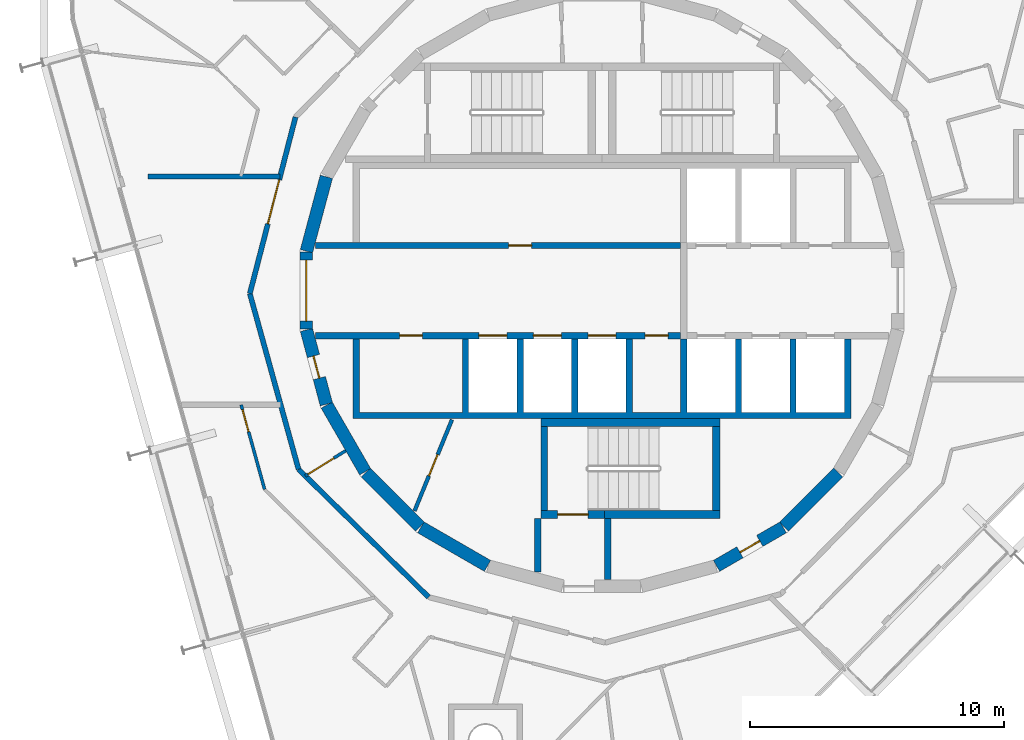
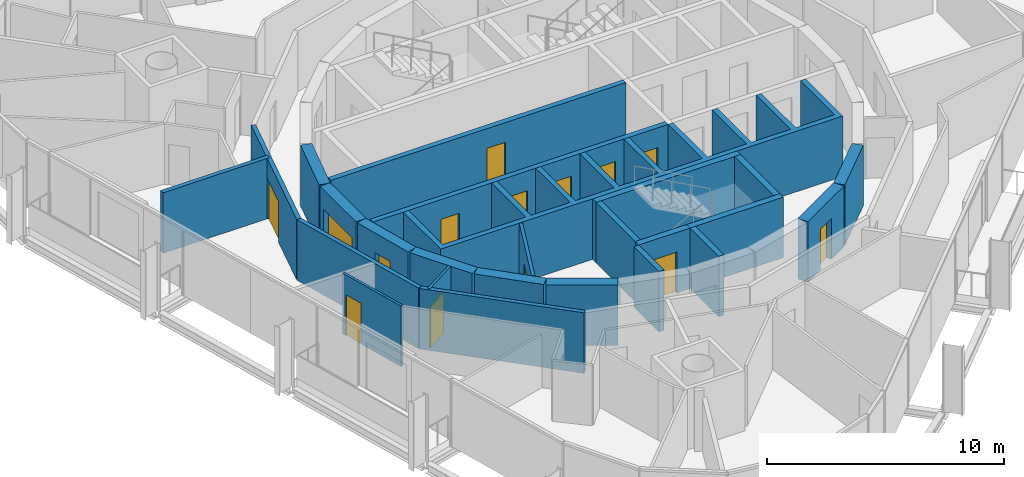
# One storey, part 10 of 15: 25 walls, 14 doors, 14 openings.
"""IFC4 building model written with IfcOpenShell, lengths in metres."""

import ifcopenshell
import ifcopenshell.guid

model = None  # the IFC model being written
_history = None  # IfcOwnerHistory: only IFC2X3 demands one
_inside = {}  # id of a spatial element -> (the spatial element, [elements in it])
_under = {}  # id of a project, library or spatial element -> (it, [spatial elements below it])
_declared = {}  # id of a project -> (the project, [libraries it declares])
_typed = {}  # id of a type object -> (the type object, [elements of that type])
_made_of = {}  # id of a material, layer set ... -> (it, [elements and type objects made of it])


def new_model(schema):
    """Start an empty IFC model of exactly this schema.

    Asked for "IFC4X3", IfcOpenShell would pick the latest addendum, in which some entities
    have other attributes; the version numbers below select the first issue.
    IFC2X3 requires an IfcOwnerHistory on every rooted entity: one is made here for all.
    """
    global model, _history
    if schema == "IFC4X3":
        model = ifcopenshell.file(schema_version=(4, 3, 0, 0))
    else:
        model = ifcopenshell.file(schema=schema)
    _inside.clear()
    _under.clear()
    _declared.clear()
    _typed.clear()
    _made_of.clear()
    _history = None
    if model.schema == "IFC2X3":
        org = make("IfcOrganization", Name="unknown")
        user = make(
            "IfcPersonAndOrganization",
            ThePerson=make("IfcPerson", FamilyName="unknown"),
            TheOrganization=org,
        )
        app = make(
            "IfcApplication",
            ApplicationDeveloper=org,
            Version="unknown",
            ApplicationFullName="unknown",
            ApplicationIdentifier="unknown",
        )
        _history = make(
            "IfcOwnerHistory",
            OwningUser=user,
            OwningApplication=app,
            ChangeAction="ADDED",
            CreationDate=0,
        )
    return model


def make(cls, **values):
    """One entity of the class cls with the attributes given. An attribute that is None is left unset."""
    return model.create_entity(
        cls, **{name: value for name, value in values.items() if value is not None}
    )


def rooted(cls, **values):
    """An entity with a GlobalId (a new one), such as an element, a storey or a relation."""
    return make(cls, GlobalId=ifcopenshell.guid.new(), OwnerHistory=_history, **values)


def si_unit(unit_type, name, prefix=None):
    """IfcSIUnit, for example si_unit("LENGTHUNIT", "METRE", prefix="MILLI")."""
    return make("IfcSIUnit", UnitType=unit_type, Prefix=prefix, Name=name)


def assignment(units):
    """IfcUnitAssignment: the units of a project."""
    return None if units is None else make("IfcUnitAssignment", Units=units)


def point(xyz):
    """IfcCartesianPoint."""
    return None if xyz is None else make("IfcCartesianPoint", Coordinates=xyz)


def direction(xyz):
    """IfcDirection."""
    return None if xyz is None else make("IfcDirection", DirectionRatios=xyz)


def frame(location, z_axis=None, x_axis=None):
    """IfcAxis2Placement3D, a coordinate frame: its origin and axes. An axis left out is left unset."""
    return make(
        "IfcAxis2Placement3D",
        Location=point(location),
        Axis=direction(z_axis),
        RefDirection=direction(x_axis),
    )


def frame_2d(location, x_axis=None):
    """IfcAxis2Placement2D, a coordinate frame in the plane: its origin and x axis."""
    return make(
        "IfcAxis2Placement2D", Location=point(location), RefDirection=direction(x_axis)
    )


def origin():
    """The frame at (0, 0, 0) with its axes left unset."""
    return frame((0.0, 0.0, 0.0))


def place(relative_to, where):
    """IfcLocalPlacement: puts the frame where relative to a parent placement (None: the world)."""
    return make(
        "IfcLocalPlacement", PlacementRelTo=relative_to, RelativePlacement=where
    )


def context(
    kind, dimensions, precision=None, world=None, true_north=None, identifier=None
):
    """IfcGeometricRepresentationContext, for example the 3D "Model" context."""
    return make(
        "IfcGeometricRepresentationContext",
        ContextIdentifier=identifier,
        ContextType=kind,
        CoordinateSpaceDimension=dimensions,
        Precision=precision,
        WorldCoordinateSystem=world,
        TrueNorth=true_north,
    )


def subcontext(parent, identifier, kind, view, scale=None):
    """IfcGeometricRepresentationSubContext, for example "Body" below "Model"."""
    return make(
        "IfcGeometricRepresentationSubContext",
        ContextIdentifier=identifier,
        ContextType=kind,
        ParentContext=parent,
        TargetScale=scale,
        TargetView=view,
    )


def project(units=None, contexts=None):
    """IfcProject with its units and contexts."""
    return rooted(
        "IfcProject",
        Name="project",
        RepresentationContexts=contexts,
        UnitsInContext=assignment(units),
    )


def spatial(cls, under=None, at=None, **own):
    """A site, building, storey or space (cls), placed at a placement, below another one or the project."""
    s = rooted(cls, ObjectPlacement=at, **own)
    if under is not None:
        _under.setdefault(under.id(), (under, []))[1].append(s)
    return s


def polyline(points):
    """IfcPolyline through the points."""
    return make("IfcPolyline", Points=[point(p) for p in points])


def profile(cls, at=None, kind="AREA", **sizes):
    """A parametric profile (cls). Its sizes go by their IFC names, for example OverallWidth=200.0."""
    return make(cls, ProfileType=kind, Position=at, **sizes)


def rectangle(**sizes):
    """IfcRectangleProfileDef."""
    return profile("IfcRectangleProfileDef", **sizes)


def outline(outer, holes=None, kind="AREA"):
    """IfcArbitraryClosedProfileDef: a profile drawn as a closed curve; with holes, ...WithVoids."""
    if holes is None:
        return make("IfcArbitraryClosedProfileDef", ProfileType=kind, OuterCurve=outer)
    return make(
        "IfcArbitraryProfileDefWithVoids",
        ProfileType=kind,
        OuterCurve=outer,
        InnerCurves=holes,
    )


def extrude(swept, where, along, depth):
    """IfcExtrudedAreaSolid: the profile swept, set in the frame where, extruded along a direction by depth."""
    return make(
        "IfcExtrudedAreaSolid",
        SweptArea=swept,
        Position=where,
        ExtrudedDirection=direction(along),
        Depth=depth,
    )


def shape(context_of_items, identifier, shape_type, items):
    """IfcShapeRepresentation: the items that make up one representation, for example the "Body"."""
    return make(
        "IfcShapeRepresentation",
        ContextOfItems=context_of_items,
        RepresentationIdentifier=identifier,
        RepresentationType=shape_type,
        Items=items,
    )


def material(Name=None, Category=None):
    """IfcMaterial."""
    return make("IfcMaterial", Name=Name, Category=Category)


def layer(
    of_material, thickness, ventilated=None, Name=None, Category=None, Priority=None
):
    """IfcMaterialLayer: one layer of a wall or slab, of a material (None: an air gap)."""
    return make(
        "IfcMaterialLayer",
        Material=of_material,
        LayerThickness=thickness,
        IsVentilated=ventilated,
        Name=Name,
        Category=Category,
        Priority=Priority,
    )


def layer_set(layers, Name=None):
    """IfcMaterialLayerSet."""
    return make("IfcMaterialLayerSet", MaterialLayers=layers, LayerSetName=Name)


def made_of(thing, what):
    """Note that an element or type object is made of a material, layer set ...; save() writes the relation."""
    if what is not None:
        _made_of.setdefault(what.id(), (what, []))[1].append(thing)
    return thing


def type_object(cls, material=None, **own):
    """A type object (cls), such as IfcWallType, which elements share."""
    return made_of(rooted(cls, **own), material)


def element(
    cls,
    number,
    at=None,
    inside=None,
    cuts=None,
    type_object=None,
    material=None,
    context=None,
    identifier="Body",
    shape_type=None,
    held_by="IfcProductDefinitionShape",
    body=None,
    shapes=None,
    **own,
):
    """One element of the class cls, such as IfcWall. Its Tag is "e" and its number.

    at: its placement. inside: the storey or other place that contains it. cuts: it is an
    opening in that element (IfcRelVoidsElement). A single representation is given by context,
    identifier, shape_type and body (its items); several are given by shapes. held_by: the class
    of the entity that holds the representations. save() writes the other relations.
    """
    e = rooted(cls, Tag="e%d" % number, ObjectPlacement=at, **own)
    if body is not None:
        shapes = [shape(context, identifier, shape_type, body)]
    if shapes is not None:
        e.Representation = make(held_by, Representations=shapes)
    if inside is not None:
        _inside.setdefault(inside.id(), (inside, []))[1].append(e)
    if cuts is not None:
        rooted(
            "IfcRelVoidsElement", RelatingBuildingElement=cuts, RelatedOpeningElement=e
        )
    if type_object is not None:
        _typed.setdefault(type_object.id(), (type_object, []))[1].append(e)
    return made_of(e, material)


def fill(opening, filler):
    """IfcRelFillsElement: the door or window that sits in an opening."""
    return rooted(
        "IfcRelFillsElement",
        RelatingOpeningElement=opening,
        RelatedBuildingElement=filler,
    )


def aggregate(whole, parts):
    """IfcRelAggregates: a whole, such as a stair, and the parts it consists of."""
    return rooted("IfcRelAggregates", RelatingObject=whole, RelatedObjects=parts)


def save(model, path):
    """Write the relations noted so far, then the file.

    IfcRelAggregates (storeys below a building ...), IfcRelContainedInSpatialStructure (elements
    in a storey), IfcRelDefinesByType, IfcRelAssociatesMaterial and IfcRelDeclares: one each for
    every whole, place, type object, material and project.
    """
    for whole, parts in _under.values():
        aggregate(whole, parts)
    for where, things in _inside.values():
        rooted(
            "IfcRelContainedInSpatialStructure",
            RelatedElements=things,
            RelatingStructure=where,
        )
    for kind, things in _typed.values():
        rooted("IfcRelDefinesByType", RelatedObjects=things, RelatingType=kind)
    for what, things in _made_of.values():
        rooted("IfcRelAssociatesMaterial", RelatedObjects=things, RelatingMaterial=what)
    for by, libraries in _declared.values():
        rooted("IfcRelDeclares", RelatingContext=by, RelatedDefinitions=libraries)
    model.write(path)


model = new_model("IFC4")

# Units and contexts
model_context = context("Model", 3, precision=1e-05, world=origin(), true_north=direction((0.0, 1.0)))
body_context = subcontext(model_context, "Body", "Model", "MODEL_VIEW")
ifc_project = project(units=[si_unit("LENGTHUNIT", "METRE"), si_unit("AREAUNIT", "SQUARE_METRE"), si_unit("VOLUMEUNIT", "CUBIC_METRE"), si_unit("PLANEANGLEUNIT", "RADIAN"), si_unit("MASSUNIT", "GRAM", prefix="KILO")], contexts=[model_context])

# Site, building, storey
site_placement = place(None, origin())
site = spatial("IfcSite", under=ifc_project, at=site_placement, CompositionType="ELEMENT")
building_placement = place(site_placement, origin())
building = spatial("IfcBuilding", under=site, at=building_placement, Name="Spindle Arch Residences", CompositionType="ELEMENT")
storey_placement = place(building_placement, frame((0.0, 0.0, 315.699951171875)))
storey = spatial("IfcBuildingStorey", under=building, at=storey_placement, Name="L81", CompositionType="ELEMENT", Elevation=315.699951171875)

# Wall, opening, door
ifc_material_1 = material(Name="Concrete C50/60", Category="concrete")
ifc_layer_1 = layer(ifc_material_1, 0.5)
ifc_layer_set_1 = layer_set([ifc_layer_1], Name="Core outline wall 500")
wall_type_1 = type_object("IfcWallType", Name="Core outline wall 500", PredefinedType="SHEAR", material=ifc_layer_set_1)
wall_1_placement = place(storey_placement, frame((4.510498046875, -10.84521484375, 0.0), z_axis=(0.0, 0.0, 1.0), x_axis=(0.865975092491, 0.500087131594, 0.0)))
wall_1 = element("IfcWall", 1, at=wall_1_placement, inside=storey, type_object=wall_type_1, Name="Core outline wall 2", PredefinedType="SHEAR", context=body_context, shape_type="SweptSolid", body=[
    extrude(rectangle(XDim=3.03271484375, YDim=0.5, at=frame_2d((1.516357421875, 0.0))), origin(), (0.0, 0.0, 1.0), 3.1201171875),
])
opening_1_placement = place(wall_1_placement, frame((1.06640625, 0.0, 0.0)))
opening_1 = element("IfcOpeningElement", 2, at=opening_1_placement, cuts=wall_1, Name="Opening R8B1-WD08", PredefinedType="OPENING", context=body_context, shape_type="SweptSolid", body=[
    extrude(rectangle(XDim=0.89990234375, YDim=2.10009765625, at=frame_2d((0.449951171875, 1.050048828125))), frame((0.0, 0.260009765625, 0.0), z_axis=(0.0, -1.0, 0.0), x_axis=(1.0, 0.0, 0.0)), (0.0, 0.0, 1.0), 0.52001953125),
])
ifc_material_2 = material(Name="Steel, fire-resisting door", Category="steel")
door_type_1 = type_object("IfcDoorType", Name="Service room door 900x2100", OperationType="SINGLE_SWING_LEFT", PredefinedType="DOOR", material=ifc_material_2)
door_1_placement = place(opening_1_placement, origin())
door_1 = element("IfcDoor", 3, at=door_1_placement, inside=storey, type_object=door_type_1, Name="Service room door R8B1-WD08", OperationType="SINGLE_SWING_RIGHT", OverallHeight=2.10009765625, OverallWidth=0.89990234375, PredefinedType="DOOR", context=body_context, shape_type="SweptSolid", body=[
    extrude(rectangle(XDim=0.89990234375, YDim=2.10009765625, at=frame_2d((0.449951171875, 1.050048828125))), frame((0.0, 0.02490234375, 0.0), z_axis=(0.0, -1.0, 0.0), x_axis=(1.0, 0.0, 0.0)), (0.0, 0.0, 1.0), 0.050048828125),
])
fill(opening_1, door_1)

# Walls
wall_2_placement = place(storey_placement, frame((7.163818359375, -9.30810546875, 0.0), z_axis=(0.0, 0.0, 1.0), x_axis=(0.707106781187, 0.707106781187, 0.0)))
element("IfcWall", 4, at=wall_2_placement, inside=storey, type_object=wall_type_1, Name="Core outline wall 3", PredefinedType="SHEAR", context=body_context, shape_type="SweptSolid", body=[
    extrude(rectangle(XDim=3.032470703125, YDim=0.5, at=frame_2d((1.51611328125, 0.0))), origin(), (0.0, 0.0, 1.0), 3.1201171875),
])
wall_3_placement = place(storey_placement, frame((-10.858154296875, 4.479248046875, 0.0), z_axis=(0.0, 0.0, 1.0), x_axis=(-0.258734743916, -0.965948410781, 0.0)))
element("IfcWall", 5, at=wall_3_placement, inside=storey, type_object=wall_type_1, Name="Core outline wall 17", PredefinedType="SHEAR", context=body_context, shape_type="SweptSolid", body=[
    extrude(rectangle(XDim=3.03271484375, YDim=0.5, at=frame_2d((1.516357421875, 0.0))), origin(), (0.0, 0.0, 1.0), 3.1201171875),
])

# Wall, opening, door
wall_4_placement = place(storey_placement, frame((-11.647216796875, 1.516357421875, 0.0), z_axis=(0.0, 0.0, 1.0), x_axis=(0.0, -1.0, 0.0)))
wall_4 = element("IfcWall", 6, at=wall_4_placement, inside=storey, type_object=wall_type_1, Name="Core outline wall 18", PredefinedType="SHEAR", context=body_context, shape_type="SweptSolid", body=[
    extrude(rectangle(XDim=3.03271484375, YDim=0.5, at=frame_2d((1.516357421875, 0.0))), origin(), (0.0, 0.0, 1.0), 3.1201171875),
])
opening_2_placement = place(wall_4_placement, frame((0.31640625, 0.0, 0.0)))
opening_2 = element("IfcOpeningElement", 7, at=opening_2_placement, cuts=wall_4, Name="Opening R8B1-LE01", PredefinedType="OPENING", context=body_context, shape_type="SweptSolid", body=[
    extrude(rectangle(XDim=2.39990234375, YDim=2.10009765625, at=frame_2d((1.199951171875, 1.050048828125))), frame((0.0, 0.260009765625, 0.0), z_axis=(0.0, -1.0, 0.0), x_axis=(1.0, 0.0, 0.0)), (0.0, 0.0, 1.0), 0.52001953125),
])
ifc_material_3 = material(Name="Steel, fire-resisting door", Category="steel")
door_type_2 = type_object("IfcDoorType", Name="Lift lobby entrance door 2400x2100", OperationType="DOUBLE_DOOR_SINGLE_SWING", PredefinedType="DOOR", material=ifc_material_3)
door_2_placement = place(opening_2_placement, origin())
door_2 = element("IfcDoor", 8, at=door_2_placement, inside=storey, type_object=door_type_2, Name="Lift lobby entrance door R8B1-LE01", OperationType="DOUBLE_DOOR_SINGLE_SWING", OverallHeight=2.10009765625, OverallWidth=2.39990234375, PredefinedType="DOOR", context=body_context, shape_type="SweptSolid", body=[
    extrude(rectangle(XDim=2.39990234375, YDim=2.10009765625, at=frame_2d((1.199951171875, 1.050048828125))), frame((0.0, 0.02490234375, 0.0), z_axis=(0.0, -1.0, 0.0), x_axis=(1.0, 0.0, 0.0)), (0.0, 0.0, 1.0), 0.050048828125),
])
fill(opening_2, door_2)

wall_5_placement = place(storey_placement, frame((-11.642822265625, -1.5498046875, 0.0), z_axis=(0.0, 0.0, 1.0), x_axis=(0.258734743916, -0.965948410781, 0.0)))
wall_5 = element("IfcWall", 9, at=wall_5_placement, inside=storey, type_object=wall_type_1, Name="Core outline wall 19", PredefinedType="SHEAR", context=body_context, shape_type="SweptSolid", body=[
    extrude(rectangle(XDim=3.03271484375, YDim=0.5, at=frame_2d((1.516357421875, 0.0))), origin(), (0.0, 0.0, 1.0), 3.1201171875),
])
opening_3_placement = place(wall_5_placement, frame((1.06640625, 0.0, 0.0)))
opening_3 = element("IfcOpeningElement", 10, at=opening_3_placement, cuts=wall_5, Name="Opening R8B1-WD09", PredefinedType="OPENING", context=body_context, shape_type="SweptSolid", body=[
    extrude(rectangle(XDim=0.89990234375, YDim=2.10009765625, at=frame_2d((0.449951171875, 1.050048828125))), frame((0.0, 0.260009765625, 0.0), z_axis=(0.0, -1.0, 0.0), x_axis=(1.0, 0.0, 0.0)), (0.0, 0.0, 1.0), 0.52001953125),
])
door_3_placement = place(opening_3_placement, origin())
door_3 = element("IfcDoor", 11, at=door_3_placement, inside=storey, type_object=door_type_1, Name="Service room door R8B1-WD09", OperationType="SINGLE_SWING_LEFT", OverallHeight=2.10009765625, OverallWidth=0.89990234375, PredefinedType="DOOR", context=body_context, shape_type="SweptSolid", body=[
    extrude(rectangle(XDim=0.89990234375, YDim=2.10009765625, at=frame_2d((0.449951171875, 1.050048828125))), frame((0.0, 0.02490234375, 0.0), z_axis=(0.0, -1.0, 0.0), x_axis=(1.0, 0.0, 0.0)), (0.0, 0.0, 1.0), 0.050048828125),
])
fill(opening_3, door_3)

# Walls
wall_6_placement = place(storey_placement, frame((-10.84521484375, -4.510498046875, 0.0), z_axis=(0.0, 0.0, 1.0), x_axis=(0.500087131594, -0.865975092491, 0.0)))
element("IfcWall", 12, at=wall_6_placement, inside=storey, type_object=wall_type_1, Name="Core outline wall 20", PredefinedType="SHEAR", context=body_context, shape_type="SweptSolid", body=[
    extrude(rectangle(XDim=3.03271484375, YDim=0.5, at=frame_2d((1.516357421875, 0.0))), origin(), (0.0, 0.0, 1.0), 3.1201171875),
])
wall_7_placement = place(storey_placement, frame((-9.30810546875, -7.163818359375, 0.0), z_axis=(0.0, 0.0, 1.0), x_axis=(0.707106781187, -0.707106781187, 0.0)))
element("IfcWall", 13, at=wall_7_placement, inside=storey, type_object=wall_type_1, Name="Core outline wall 21", PredefinedType="SHEAR", context=body_context, shape_type="SweptSolid", body=[
    extrude(rectangle(XDim=3.032470703125, YDim=0.5, at=frame_2d((1.51611328125, 0.0))), origin(), (0.0, 0.0, 1.0), 3.1201171875),
])
wall_8_placement = place(storey_placement, frame((-7.13671875, -9.32861328125, 0.0), z_axis=(0.0, 0.0, 1.0), x_axis=(0.865975092491, -0.500087131594, 0.0)))
element("IfcWall", 14, at=wall_8_placement, inside=storey, type_object=wall_type_1, Name="Core outline wall 22", PredefinedType="SHEAR", context=body_context, shape_type="SweptSolid", body=[
    extrude(rectangle(XDim=3.03271484375, YDim=0.5, at=frame_2d((1.516357421875, 0.0))), origin(), (0.0, 0.0, 1.0), 3.1201171875),
])

# Wall, opening, door
ifc_material_4 = material(Name="Plasterboard on steel studs", Category="steel")
ifc_layer_2 = layer(ifc_material_4, 0.1201171875)
ifc_layer_set_2 = layer_set([ifc_layer_2], Name="Corridor division wall 120")
wall_type_2 = type_object("IfcWallType", Name="Corridor division wall 120", PredefinedType="PARTITIONING", material=ifc_layer_set_2)
wall_9_placement = place(storey_placement, frame((-11.686767578125, -7.302734375, 0.0), z_axis=(0.0, 0.0, 1.0), x_axis=(0.848064094072, 0.529893661357, 0.0)))
wall_9 = element("IfcWall", 15, at=wall_9_placement, inside=storey, type_object=wall_type_2, Name="Corridor division wall R8B1-W003", PredefinedType="PARTITIONING", context=body_context, shape_type="SweptSolid", body=[
    extrude(rectangle(XDim=1.876220703125, YDim=0.1201171875, at=frame_2d((0.93798828125, 0.0))), origin(), (0.0, 0.0, 1.0), 3.1201171875),
])
opening_4_placement = place(wall_9_placement, frame((0.125, 0.0, 0.0)))
opening_4 = element("IfcOpeningElement", 16, at=opening_4_placement, cuts=wall_9, Name="Opening R8B1-CD03", PredefinedType="OPENING", context=body_context, shape_type="SweptSolid", body=[
    extrude(rectangle(XDim=1.199951171875, YDim=2.10009765625, at=frame_2d((0.60009765625, 1.050048828125))), frame((0.0, 0.070068359375, 0.0), z_axis=(0.0, -1.0, 0.0), x_axis=(1.0, 0.0, 0.0)), (0.0, 0.0, 1.0), 0.14013671875),
])
ifc_material_5 = material(Name="Steel, fire-resisting door", Category="steel")
door_type_3 = type_object("IfcDoorType", Name="Corridor division door 1200x2100", OperationType="NOTDEFINED", PredefinedType="DOOR", material=ifc_material_5)
door_4_placement = place(opening_4_placement, origin())
door_4 = element("IfcDoor", 17, at=door_4_placement, inside=storey, type_object=door_type_3, Name="Corridor division door R8B1-CD03", OperationType="DOUBLE_DOOR_SINGLE_SWING", OverallHeight=2.10009765625, OverallWidth=1.199951171875, PredefinedType="DOOR", context=body_context, shape_type="SweptSolid", body=[
    extrude(rectangle(XDim=1.199951171875, YDim=2.10009765625, at=frame_2d((0.60009765625, 1.050048828125))), frame((0.0, 0.02490234375, 0.0), z_axis=(0.0, -1.0, 0.0), x_axis=(1.0, 0.0, 0.0)), (0.0, 0.0, 1.0), 0.050048828125),
])
fill(opening_4, door_4)

# Wall
ifc_material_6 = material(Name="Calcium silicate block, plastered")
ifc_layer_3 = layer(ifc_material_6, 0.199951171875)
ifc_layer_set_3 = layer_set([ifc_layer_3], Name="Corridor wall 200")
wall_type_3 = type_object("IfcWallType", Name="Corridor wall 200", PredefinedType="STANDARD", material=ifc_layer_set_3)
wall_10_placement = place(storey_placement, frame((-11.953125, -7.041015625, 0.0), z_axis=(0.0, 0.0, 1.0), x_axis=(0.713250549143, -0.70090916255, 0.0)))
element("IfcWall", 18, at=wall_10_placement, inside=storey, type_object=wall_type_3, Name="Corridor wall R8B1-W013", PredefinedType="STANDARD", context=body_context, shape_type="SweptSolid", body=[
    extrude(rectangle(XDim=7.180908203125, YDim=0.199951171875, at=frame_2d((3.59033203125, 0.0))), origin(), (0.0, 0.0, 1.0), 3.1201171875),
])

# Wall, opening, door
ifc_material_7 = material(Name="Plasterboard on steel studs", Category="steel")
ifc_layer_4 = layer(ifc_material_7, 0.1201171875)
ifc_layer_set_4 = layer_set([ifc_layer_4], Name="Flat partition 120")
wall_type_4 = type_object("IfcWallType", Name="Flat partition 120", PredefinedType="PARTITIONING", material=ifc_layer_set_4)
wall_11_placement = place(storey_placement, frame((-14.21435546875, -4.5, 0.0), z_axis=(0.0, 0.0, 1.0), x_axis=(0.267199167841, -0.963641325756, 0.0)))
wall_11 = element("IfcWall", 19, at=wall_11_placement, inside=storey, type_object=wall_type_4, Name="Flat partition R8B1-W059", PredefinedType="PARTITIONING", context=body_context, shape_type="SweptSolid", body=[
    extrude(rectangle(XDim=3.45458984375, YDim=0.1201171875, at=frame_2d((1.727294921875, 0.0))), origin(), (0.0, 0.0, 1.0), 3.1201171875),
])
opening_5_placement = place(wall_11_placement, frame((0.199951171875, 0.0, 0.0)))
opening_5 = element("IfcOpeningElement", 20, at=opening_5_placement, cuts=wall_11, Name="Opening R8B1-ID12", PredefinedType="OPENING", context=body_context, shape_type="SweptSolid", body=[
    extrude(rectangle(XDim=0.89990234375, YDim=2.10009765625, at=frame_2d((0.449951171875, 1.050048828125))), frame((0.0, 0.070068359375, 0.0), z_axis=(0.0, -1.0, 0.0), x_axis=(1.0, 0.0, 0.0)), (0.0, 0.0, 1.0), 0.14013671875),
])
ifc_material_8 = material(Name="Timber door set", Category="wood")
door_type_4 = type_object("IfcDoorType", Name="Room door 900x2100", OperationType="NOTDEFINED", PredefinedType="DOOR", material=ifc_material_8)
door_5_placement = place(opening_5_placement, origin())
door_5 = element("IfcDoor", 21, at=door_5_placement, inside=storey, type_object=door_type_4, Name="Room door R8B1-ID12", OperationType="SINGLE_SWING_RIGHT", OverallHeight=2.10009765625, OverallWidth=0.89990234375, PredefinedType="DOOR", context=body_context, shape_type="SweptSolid", body=[
    extrude(rectangle(XDim=0.89990234375, YDim=2.10009765625, at=frame_2d((0.449951171875, 1.050048828125))), frame((0.0, 0.02490234375, 0.0), z_axis=(0.0, -1.0, 0.0), x_axis=(1.0, 0.0, 0.0)), (0.0, 0.0, 1.0), 0.050048828125),
])
fill(opening_5, door_5)

ifc_material_9 = material(Name="Calcium silicate block, plastered")
ifc_layer_5 = layer(ifc_material_9, 0.199951171875)
ifc_layer_set_5 = layer_set([ifc_layer_5], Name="Lift lobby bay wall 200")
wall_type_5 = type_object("IfcWallType", Name="Lift lobby bay wall 200", PredefinedType="STANDARD", material=ifc_layer_set_5)
wall_12_placement = place(storey_placement, frame((-12.07421875, 6.831298828125, 0.0), z_axis=(0.0, 0.0, 1.0), x_axis=(-0.250391063186, -0.968144780225, 0.0)))
wall_12 = element("IfcWall", 22, at=wall_12_placement, inside=storey, type_object=wall_type_5, Name="Lift lobby bay wall R8B1-W010", PredefinedType="STANDARD", context=body_context, shape_type="SweptSolid", body=[
    extrude(rectangle(XDim=7.18115234375, YDim=0.199951171875, at=frame_2d((3.590576171875, 0.0))), origin(), (0.0, 0.0, 1.0), 3.1201171875),
])
opening_6_placement = place(wall_12_placement, frame((2.5478515625, 0.0, 0.0)))
opening_6 = element("IfcOpeningElement", 23, at=opening_6_placement, cuts=wall_12, Name="Opening R8B1-LB01", PredefinedType="OPENING", context=body_context, shape_type="SweptSolid", body=[
    extrude(rectangle(XDim=1.800048828125, YDim=2.10009765625, at=frame_2d((0.89990234375, 1.050048828125))), frame((0.0, 0.10986328125, 0.0), z_axis=(0.0, -1.0, 0.0), x_axis=(1.0, 0.0, 0.0)), (0.0, 0.0, 1.0), 0.219970703125),
])
ifc_material_10 = material(Name="Steel, fire-resisting door", Category="steel")
door_type_5 = type_object("IfcDoorType", Name="Lift lobby bay door 1800x2100", OperationType="NOTDEFINED", PredefinedType="DOOR", material=ifc_material_10)
door_6_placement = place(opening_6_placement, origin())
door_6 = element("IfcDoor", 24, at=door_6_placement, inside=storey, type_object=door_type_5, Name="Lift lobby bay door R8B1-LB01", OperationType="DOUBLE_DOOR_SINGLE_SWING", OverallHeight=2.10009765625, OverallWidth=1.800048828125, PredefinedType="DOOR", context=body_context, shape_type="SweptSolid", body=[
    extrude(rectangle(XDim=1.800048828125, YDim=2.10009765625, at=frame_2d((0.89990234375, 1.050048828125))), frame((0.0, 0.02490234375, 0.0), z_axis=(0.0, -1.0, 0.0), x_axis=(1.0, 0.0, 0.0)), (0.0, 0.0, 1.0), 0.050048828125),
])
fill(opening_6, door_6)

# Walls
wall_13_placement = place(storey_placement, frame((-13.872314453125, -0.12109375, 0.0), z_axis=(0.0, 0.0, 1.0), x_axis=(0.267254575108, -0.963625960674, 0.0)))
element("IfcWall", 25, at=wall_13_placement, inside=storey, type_object=wall_type_5, Name="Lift lobby bay wall R8B1-W011", PredefinedType="STANDARD", context=body_context, shape_type="SweptSolid", body=[
    extrude(rectangle(XDim=7.18115234375, YDim=0.199951171875, at=frame_2d((3.590576171875, 0.0))), origin(), (0.0, 0.0, 1.0), 3.1201171875),
])
wall_14_placement = place(storey_placement, frame((-12.677001953125, 4.5, 0.0), z_axis=(0.0, 0.0, 1.0), x_axis=(-1.0, 0.0, 0.0)))
element("IfcWall", 26, at=wall_14_placement, inside=storey, type_object=wall_type_5, Name="Lift lobby bay wall R8B1-W017", PredefinedType="STANDARD", context=body_context, shape_type="SweptSolid", body=[
    extrude(rectangle(XDim=5.20849609375, YDim=0.199951171875, at=frame_2d((2.604248046875, 0.0))), origin(), (0.0, 0.0, 1.0), 3.1201171875),
])

# Wall, opening, door
ifc_material_11 = material(Name="Concrete C50/60", Category="concrete")
ifc_layer_6 = layer(ifc_material_11, 0.25)
ifc_layer_set_6 = layer_set([ifc_layer_6], Name="Lift shaft wall 250")
wall_type_6 = type_object("IfcWallType", Name="Lift shaft wall 250", PredefinedType="SHEAR", material=ifc_layer_set_6)
wall_15_placement = place(storey_placement, frame((-11.280029296875, 1.77490234375, 0.0), z_axis=(0.0, 0.0, 1.0), x_axis=(1.0, 0.0, 0.0)))
wall_15 = element("IfcWall", 27, at=wall_15_placement, inside=storey, type_object=wall_type_6, Name="Lift shaft front wall NW", PredefinedType="SHEAR", context=body_context, shape_type="SweptSolid", body=[
    extrude(rectangle(XDim=14.380126953125, YDim=0.25, at=frame_2d((7.18994140625, 0.0))), origin(), (0.0, 0.0, 1.0), 3.1201171875),
])
opening_7_placement = place(wall_15_placement, frame((7.60498046875, 0.0, 0.0)))
opening_7 = element("IfcOpeningElement", 28, at=opening_7_placement, cuts=wall_15, Name="Opening R8B1-WD01", PredefinedType="OPENING", context=body_context, shape_type="SweptSolid", body=[
    extrude(rectangle(XDim=0.89990234375, YDim=2.10009765625, at=frame_2d((0.449951171875, 1.050048828125))), frame((0.0, 0.135009765625, 0.0), z_axis=(0.0, -1.0, 0.0), x_axis=(1.0, 0.0, 0.0)), (0.0, 0.0, 1.0), 0.27001953125),
])
door_7_placement = place(opening_7_placement, origin())
door_7 = element("IfcDoor", 29, at=door_7_placement, inside=storey, type_object=door_type_1, Name="Service room door R8B1-WD01", OperationType="SINGLE_SWING_LEFT", OverallHeight=2.10009765625, OverallWidth=0.89990234375, PredefinedType="DOOR", context=body_context, shape_type="SweptSolid", body=[
    extrude(rectangle(XDim=0.89990234375, YDim=2.10009765625, at=frame_2d((0.449951171875, 1.050048828125))), frame((0.0, 0.02490234375, 0.0), z_axis=(0.0, -1.0, 0.0), x_axis=(1.0, 0.0, 0.0)), (0.0, 0.0, 1.0), 0.050048828125),
])
fill(opening_7, door_7)

# Wall, openings, doors
wall_16_placement = place(storey_placement, frame((-11.280029296875, -1.77490234375, 0.0), z_axis=(0.0, 0.0, 1.0), x_axis=(1.0, 0.0, 0.0)))
wall_16 = element("IfcWall", 30, at=wall_16_placement, inside=storey, type_object=wall_type_6, Name="Lift shaft front wall SW", PredefinedType="SHEAR", context=body_context, shape_type="SweptSolid", body=[
    extrude(rectangle(XDim=14.380126953125, YDim=0.25, at=frame_2d((7.18994140625, 0.0))), origin(), (0.0, 0.0, 1.0), 3.1201171875),
])
opening_8_placement = place(wall_16_placement, frame((6.429931640625, 0.0, 0.0)))
opening_8 = element("IfcOpeningElement", 31, at=opening_8_placement, cuts=wall_16, Name="Opening R8B1-LD01", PredefinedType="OPENING", context=body_context, shape_type="SweptSolid", body=[
    extrude(rectangle(XDim=1.10009765625, YDim=2.10009765625, at=frame_2d((0.550048828125, 1.050048828125))), frame((0.0, 0.135009765625, 0.0), z_axis=(0.0, -1.0, 0.0), x_axis=(1.0, 0.0, 0.0)), (0.0, 0.0, 1.0), 0.27001953125),
])
opening_9_placement = place(wall_16_placement, frame((8.580078125, 0.0, 0.0)))
opening_9 = element("IfcOpeningElement", 32, at=opening_9_placement, cuts=wall_16, Name="Opening R8B1-LD02", PredefinedType="OPENING", context=body_context, shape_type="SweptSolid", body=[
    extrude(rectangle(XDim=1.10009765625, YDim=2.10009765625, at=frame_2d((0.550048828125, 1.050048828125))), frame((0.0, 0.135009765625, 0.0), z_axis=(0.0, -1.0, 0.0), x_axis=(1.0, 0.0, 0.0)), (0.0, 0.0, 1.0), 0.27001953125),
])
opening_10_placement = place(wall_16_placement, frame((10.72998046875, 0.0, 0.0)))
opening_10 = element("IfcOpeningElement", 33, at=opening_10_placement, cuts=wall_16, Name="Opening R8B1-LD03", PredefinedType="OPENING", context=body_context, shape_type="SweptSolid", body=[
    extrude(rectangle(XDim=1.10009765625, YDim=2.10009765625, at=frame_2d((0.550048828125, 1.050048828125))), frame((0.0, 0.135009765625, 0.0), z_axis=(0.0, -1.0, 0.0), x_axis=(1.0, 0.0, 0.0)), (0.0, 0.0, 1.0), 0.27001953125),
])
opening_11_placement = place(wall_16_placement, frame((3.304931640625, 0.0, 0.0)))
opening_11 = element("IfcOpeningElement", 34, at=opening_11_placement, cuts=wall_16, Name="Opening R8B1-WD03", PredefinedType="OPENING", context=body_context, shape_type="SweptSolid", body=[
    extrude(rectangle(XDim=0.89990234375, YDim=2.10009765625, at=frame_2d((0.449951171875, 1.050048828125))), frame((0.0, 0.135009765625, 0.0), z_axis=(0.0, -1.0, 0.0), x_axis=(1.0, 0.0, 0.0)), (0.0, 0.0, 1.0), 0.27001953125),
])
opening_12_placement = place(wall_16_placement, frame((12.97998046875, 0.0, 0.0)))
opening_12 = element("IfcOpeningElement", 35, at=opening_12_placement, cuts=wall_16, Name="Opening R8B1-WD04", PredefinedType="OPENING", context=body_context, shape_type="SweptSolid", body=[
    extrude(rectangle(XDim=0.89990234375, YDim=2.10009765625, at=frame_2d((0.449951171875, 1.050048828125))), frame((0.0, 0.135009765625, 0.0), z_axis=(0.0, -1.0, 0.0), x_axis=(1.0, 0.0, 0.0)), (0.0, 0.0, 1.0), 0.27001953125),
])
ifc_material_12 = material(Name="Steel, fire-resisting landing door", Category="steel")
door_type_6 = type_object("IfcDoorType", Name="Lift landing door 1100x2100", OperationType="DOUBLE_DOOR_SLIDING", PredefinedType="DOOR", material=ifc_material_12)
door_8_placement = place(opening_8_placement, origin())
door_8 = element("IfcDoor", 36, at=door_8_placement, inside=storey, type_object=door_type_6, Name="Lift landing door R8B1-LD01", OperationType="DOUBLE_DOOR_SLIDING", OverallHeight=2.10009765625, OverallWidth=1.10009765625, PredefinedType="DOOR", context=body_context, shape_type="SweptSolid", body=[
    extrude(rectangle(XDim=1.10009765625, YDim=2.10009765625, at=frame_2d((0.550048828125, 1.050048828125))), frame((0.0, 0.02490234375, 0.0), z_axis=(0.0, -1.0, 0.0), x_axis=(1.0, 0.0, 0.0)), (0.0, 0.0, 1.0), 0.050048828125),
])
fill(opening_8, door_8)
door_9_placement = place(opening_9_placement, origin())
door_9 = element("IfcDoor", 37, at=door_9_placement, inside=storey, type_object=door_type_6, Name="Lift landing door R8B1-LD02", OperationType="DOUBLE_DOOR_SLIDING", OverallHeight=2.10009765625, OverallWidth=1.10009765625, PredefinedType="DOOR", context=body_context, shape_type="SweptSolid", body=[
    extrude(rectangle(XDim=1.10009765625, YDim=2.10009765625, at=frame_2d((0.550048828125, 1.050048828125))), frame((0.0, 0.02490234375, 0.0), z_axis=(0.0, -1.0, 0.0), x_axis=(1.0, 0.0, 0.0)), (0.0, 0.0, 1.0), 0.050048828125),
])
fill(opening_9, door_9)
door_10_placement = place(opening_10_placement, origin())
door_10 = element("IfcDoor", 38, at=door_10_placement, inside=storey, type_object=door_type_6, Name="Lift landing door R8B1-LD03", OperationType="DOUBLE_DOOR_SLIDING", OverallHeight=2.10009765625, OverallWidth=1.10009765625, PredefinedType="DOOR", context=body_context, shape_type="SweptSolid", body=[
    extrude(rectangle(XDim=1.10009765625, YDim=2.10009765625, at=frame_2d((0.550048828125, 1.050048828125))), frame((0.0, 0.02490234375, 0.0), z_axis=(0.0, -1.0, 0.0), x_axis=(1.0, 0.0, 0.0)), (0.0, 0.0, 1.0), 0.050048828125),
])
fill(opening_10, door_10)
door_11_placement = place(opening_11_placement, origin())
door_11 = element("IfcDoor", 39, at=door_11_placement, inside=storey, type_object=door_type_1, Name="Service room door R8B1-WD03", OperationType="SINGLE_SWING_LEFT", OverallHeight=2.10009765625, OverallWidth=0.89990234375, PredefinedType="DOOR", context=body_context, shape_type="SweptSolid", body=[
    extrude(rectangle(XDim=0.89990234375, YDim=2.10009765625, at=frame_2d((0.449951171875, 1.050048828125))), frame((0.0, 0.02490234375, 0.0), z_axis=(0.0, -1.0, 0.0), x_axis=(1.0, 0.0, 0.0)), (0.0, 0.0, 1.0), 0.050048828125),
])
fill(opening_11, door_11)
door_12_placement = place(opening_12_placement, origin())
door_12 = element("IfcDoor", 40, at=door_12_placement, inside=storey, type_object=door_type_1, Name="Service room door R8B1-WD04", OperationType="SINGLE_SWING_RIGHT", OverallHeight=2.10009765625, OverallWidth=0.89990234375, PredefinedType="DOOR", context=body_context, shape_type="SweptSolid", body=[
    extrude(rectangle(XDim=0.89990234375, YDim=2.10009765625, at=frame_2d((0.449951171875, 1.050048828125))), frame((0.0, 0.02490234375, 0.0), z_axis=(0.0, -1.0, 0.0), x_axis=(1.0, 0.0, 0.0)), (0.0, 0.0, 1.0), 0.050048828125),
])
fill(opening_12, door_12)

# Wall
ifc_material_13 = material(Name="Concrete C50/60", Category="concrete")
wall_type_7 = type_object("IfcWallType", Name="Lift shaft wall profile", PredefinedType="SHEAR", material=ifc_material_13)
wall_17_placement = place(storey_placement, origin())
element("IfcWall", 41, at=wall_17_placement, inside=storey, type_object=wall_type_7, Name="Lift shaft walls S", PredefinedType="SHEAR", context=body_context, shape_type="SweptSolid", body=[
    extrude(outline(polyline([(9.800048828125, -5.050048828125), (9.800048828125, -4.800048828125), (9.800048828125, -1.89990234375), (9.550048828125, -1.89990234375), (9.550048828125, -4.800048828125), (7.64990234375, -4.800048828125), (7.64990234375, -1.89990234375), (7.39990234375, -1.89990234375), (7.39990234375, -4.800048828125), (5.5, -4.800048828125), (5.5, -1.89990234375), (5.25, -1.89990234375), (5.25, -4.800048828125), (3.35009765625, -4.800048828125), (3.35009765625, -1.89990234375), (3.10009765625, -1.89990234375), (3.10009765625, -4.800048828125), (1.199951171875, -4.800048828125), (1.199951171875, -1.89990234375), (0.949951171875, -1.89990234375), (0.949951171875, -4.800048828125), (-0.949951171875, -4.800048828125), (-0.949951171875, -1.89990234375), (-1.199951171875, -1.89990234375), (-1.199951171875, -4.800048828125), (-3.10009765625, -4.800048828125), (-3.10009765625, -1.89990234375), (-3.35009765625, -1.89990234375), (-3.35009765625, -4.800048828125), (-5.25, -4.800048828125), (-5.25, -1.89990234375), (-5.5, -1.89990234375), (-5.5, -4.800048828125), (-9.550048828125, -4.800048828125), (-9.550048828125, -1.89990234375), (-9.800048828125, -1.89990234375), (-9.800048828125, -4.800048828125), (-9.800048828125, -5.050048828125), (9.800048828125, -5.050048828125)])), origin(), (0.0, 0.0, 1.0), 3.1201171875),
])

# Wall, opening, door
ifc_material_14 = material(Name="Concrete C25/30", Category="concrete")
ifc_layer_7 = layer(ifc_material_14, 0.14990234375)
ifc_layer_set_7 = layer_set([ifc_layer_7], Name="Service room partition 150")
wall_type_8 = type_object("IfcWallType", Name="Service room partition 150", PredefinedType="PARTITIONING", material=ifc_layer_set_7)
wall_18_placement = place(storey_placement, frame((-7.385009765625, -8.680908203125, 0.0), z_axis=(0.0, 0.0, 1.0), x_axis=(0.379804590409, 0.925066739811, 0.0)))
wall_18 = element("IfcWall", 42, at=wall_18_placement, inside=storey, type_object=wall_type_8, Name="Core service room partition", PredefinedType="PARTITIONING", context=body_context, shape_type="SweptSolid", body=[
    extrude(rectangle(XDim=3.885009765625, YDim=0.14990234375, at=frame_2d((1.9423828125, 0.0))), origin(), (0.0, 0.0, 1.0), 3.1201171875),
])
opening_13_placement = place(wall_18_placement, frame((1.49267578125, 0.0, 0.0)))
opening_13 = element("IfcOpeningElement", 43, at=opening_13_placement, cuts=wall_18, Name="Opening R8B1-WD05", PredefinedType="OPENING", context=body_context, shape_type="SweptSolid", body=[
    extrude(rectangle(XDim=0.89990234375, YDim=2.10009765625, at=frame_2d((0.449951171875, 1.050048828125))), frame((0.0, 0.0849609375, 0.0), z_axis=(0.0, -1.0, 0.0), x_axis=(1.0, 0.0, 0.0)), (0.0, 0.0, 1.0), 0.169921875),
])
door_13_placement = place(opening_13_placement, origin())
door_13 = element("IfcDoor", 44, at=door_13_placement, inside=storey, type_object=door_type_1, Name="Service room door R8B1-WD05", OperationType="SINGLE_SWING_LEFT", OverallHeight=2.10009765625, OverallWidth=0.89990234375, PredefinedType="DOOR", context=body_context, shape_type="SweptSolid", body=[
    extrude(rectangle(XDim=0.89990234375, YDim=2.10009765625, at=frame_2d((0.449951171875, 1.050048828125))), frame((0.0, 0.02490234375, 0.0), z_axis=(0.0, -1.0, 0.0), x_axis=(1.0, 0.0, 0.0)), (0.0, 0.0, 1.0), 0.050048828125),
])
fill(opening_13, door_13)

# Walls
ifc_material_15 = material(Name="Concrete C40/50", Category="concrete")
ifc_layer_8 = layer(ifc_material_15, 0.25)
ifc_layer_set_8 = layer_set([ifc_layer_8], Name="Stair airlock wall 250")
wall_type_9 = type_object("IfcWallType", Name="Stair airlock wall 250", PredefinedType="SHEAR", material=ifc_layer_set_8)
wall_19_placement = place(storey_placement, frame((-2.52490234375, -8.969970703125, 0.0), z_axis=(0.0, 0.0, 1.0), x_axis=(0.0, -1.0, 0.0)))
element("IfcWall", 45, at=wall_19_placement, inside=storey, type_object=wall_type_9, Name="Stair ST-3 airlock wall W", PredefinedType="SHEAR", context=body_context, shape_type="SweptSolid", body=[
    extrude(rectangle(XDim=2.110107421875, YDim=0.25, at=frame_2d((1.05517578125, 0.0))), origin(), (0.0, 0.0, 1.0), 3.1201171875),
])
wall_20_placement = place(storey_placement, frame((0.22509765625, -8.969970703125, 0.0), z_axis=(0.0, 0.0, 1.0), x_axis=(0.0, -1.0, 0.0)))
element("IfcWall", 46, at=wall_20_placement, inside=storey, type_object=wall_type_9, Name="Stair ST-3 airlock wall E", PredefinedType="SHEAR", context=body_context, shape_type="SweptSolid", body=[
    extrude(rectangle(XDim=2.409912109375, YDim=0.25, at=frame_2d((1.205078125, 0.0))), origin(), (0.0, 0.0, 1.0), 3.1201171875),
])
ifc_material_16 = material(Name="Concrete C50/60", Category="concrete")
ifc_layer_9 = layer(ifc_material_16, 0.25)
ifc_layer_set_9 = layer_set([ifc_layer_9], Name="Stair enclosure wall 250")
wall_type_10 = type_object("IfcWallType", Name="Stair enclosure wall 250", PredefinedType="SHEAR", material=ifc_layer_set_9)
wall_21_placement = place(storey_placement, frame((-2.27490234375, -8.669921875, 0.0), z_axis=(0.0, 0.0, 1.0), x_axis=(0.0, 1.0, 0.0)))
element("IfcWall", 47, at=wall_21_placement, inside=storey, type_object=wall_type_10, Name="Stair ST-3 enclosure wall W", PredefinedType="SHEAR", context=body_context, shape_type="SweptSolid", body=[
    extrude(rectangle(XDim=3.31982421875, YDim=0.25, at=frame_2d((1.659912109375, 0.0))), origin(), (0.0, 0.0, 1.0), 3.1201171875),
])
ifc_material_17 = material(Name="Concrete C50/60", Category="concrete")
ifc_layer_10 = layer(ifc_material_17, 0.300048828125)
ifc_layer_set_10 = layer_set([ifc_layer_10], Name="Stair enclosure wall 300")
wall_type_11 = type_object("IfcWallType", Name="Stair enclosure wall 300", PredefinedType="SHEAR", material=ifc_layer_set_10)
wall_22_placement = place(storey_placement, frame((-2.39990234375, -5.199951171875, 0.0), z_axis=(0.0, 0.0, 1.0), x_axis=(1.0, 0.0, 0.0)))
element("IfcWall", 48, at=wall_22_placement, inside=storey, type_object=wall_type_11, Name="Stair ST-3 enclosure wall N", PredefinedType="SHEAR", context=body_context, shape_type="SweptSolid", body=[
    extrude(rectangle(XDim=7.0498046875, YDim=0.300048828125, at=frame_2d((3.52490234375, 0.0))), origin(), (0.0, 0.0, 1.0), 3.1201171875),
])
wall_23_placement = place(storey_placement, frame((4.5, -8.669921875, 0.0), z_axis=(0.0, 0.0, 1.0), x_axis=(0.0, 1.0, 0.0)))
element("IfcWall", 49, at=wall_23_placement, inside=storey, type_object=wall_type_11, Name="Stair ST-3 enclosure wall E", PredefinedType="SHEAR", context=body_context, shape_type="SweptSolid", body=[
    extrude(rectangle(XDim=3.31982421875, YDim=0.300048828125, at=frame_2d((1.659912109375, 0.0))), origin(), (0.0, 0.0, 1.0), 3.1201171875),
])
wall_24_placement = place(storey_placement, frame((0.10009765625, -8.820068359375, 0.0), z_axis=(0.0, 0.0, 1.0), x_axis=(1.0, 0.0, 0.0)))
element("IfcWall", 50, at=wall_24_placement, inside=storey, type_object=wall_type_11, Name="Stair ST-3 enclosure wall S", PredefinedType="SHEAR", context=body_context, shape_type="SweptSolid", body=[
    extrude(rectangle(XDim=4.5498046875, YDim=0.300048828125, at=frame_2d((2.27490234375, 0.0))), origin(), (0.0, 0.0, 1.0), 3.1201171875),
])

# Wall, opening, door
wall_25_placement = place(storey_placement, frame((-2.39990234375, -8.820068359375, 0.0), z_axis=(0.0, 0.0, 1.0), x_axis=(1.0, 0.0, 0.0)))
wall_25 = element("IfcWall", 51, at=wall_25_placement, inside=storey, type_object=wall_type_11, Name="Stair ST-3 door wall", PredefinedType="SHEAR", context=body_context, shape_type="SweptSolid", body=[
    extrude(rectangle(XDim=2.5, YDim=0.300048828125, at=frame_2d((1.25, 0.0))), origin(), (0.0, 0.0, 1.0), 3.1201171875),
])
opening_14_placement = place(wall_25_placement, frame((0.64990234375, 0.0, 0.0)))
opening_14 = element("IfcOpeningElement", 52, at=opening_14_placement, cuts=wall_25, Name="Opening R8B1-SD03", PredefinedType="OPENING", context=body_context, shape_type="SweptSolid", body=[
    extrude(rectangle(XDim=1.199951171875, YDim=2.10009765625, at=frame_2d((0.60009765625, 1.050048828125))), frame((0.0, 0.16015625, 0.0), z_axis=(0.0, -1.0, 0.0), x_axis=(1.0, 0.0, 0.0)), (0.0, 0.0, 1.0), 0.320068359375),
])
ifc_material_18 = material(Name="Steel, fire-resisting door", Category="steel")
door_type_7 = type_object("IfcDoorType", Name="Stair door 1200x2100", OperationType="SINGLE_SWING_RIGHT", PredefinedType="DOOR", material=ifc_material_18)
door_14_placement = place(opening_14_placement, origin())
door_14 = element("IfcDoor", 53, at=door_14_placement, inside=storey, type_object=door_type_7, Name="Stair door R8B1-SD03", OperationType="SINGLE_SWING_LEFT", OverallHeight=2.10009765625, OverallWidth=1.199951171875, PredefinedType="DOOR", context=body_context, shape_type="SweptSolid", body=[
    extrude(rectangle(XDim=1.199951171875, YDim=2.10009765625, at=frame_2d((0.60009765625, 1.050048828125))), frame((0.0, 0.02490234375, 0.0), z_axis=(0.0, -1.0, 0.0), x_axis=(1.0, 0.0, 0.0)), (0.0, 0.0, 1.0), 0.050048828125),
])
fill(opening_14, door_14)

save(model, "model.ifc")
